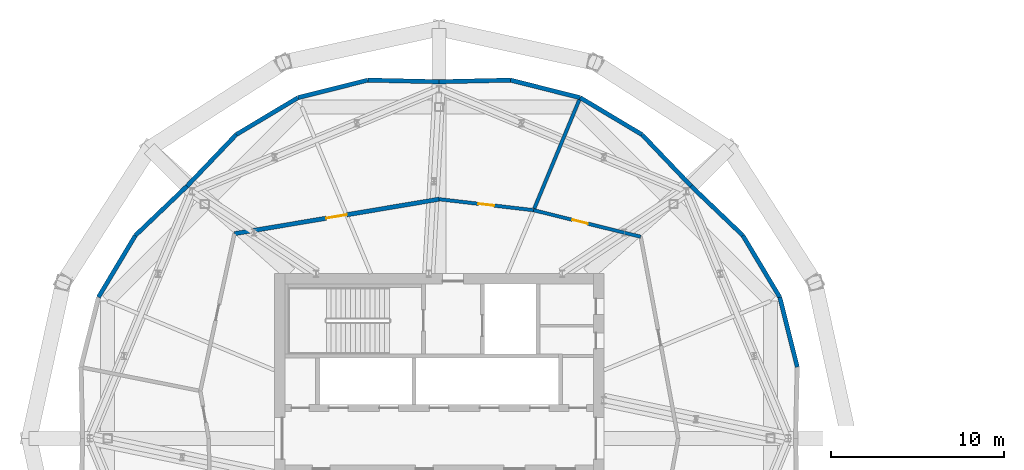
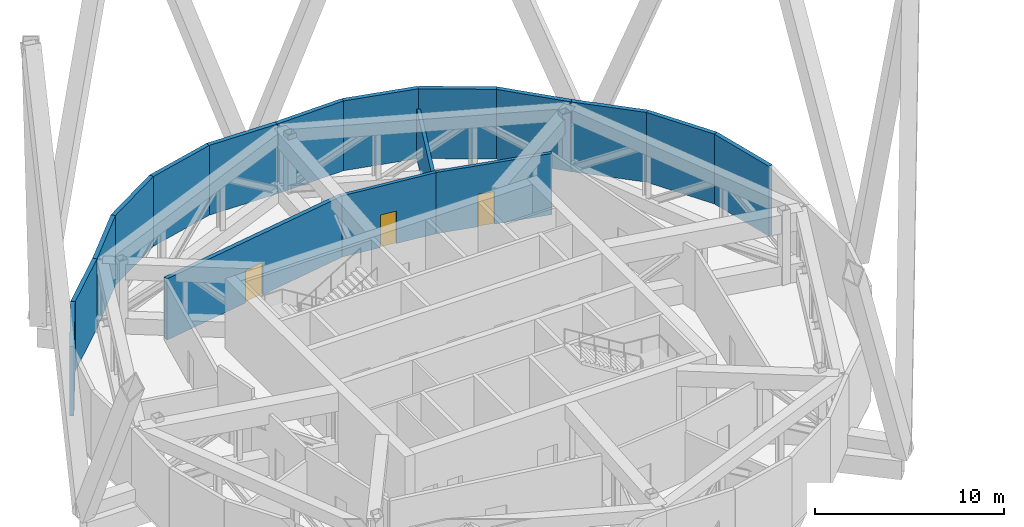
# One storey, part 14 of 19: 17 walls, 3 doors, 3 openings.
"""IFC4 building model written with IfcOpenShell, lengths in metres."""

from ifc_helpers import new_model, si_unit, direction, frame, frame_2d, origin, place, context, subcontext, project, spatial, rectangle, extrude, material, layer, layer_set, type_object, element, fill, save


model = new_model("IFC4")

# Units and contexts
model_context = context("Model", 3, precision=1e-05, world=origin(), true_north=direction((0.0, 1.0)))
body_context = subcontext(model_context, "Body", "Model", "MODEL_VIEW")
ifc_project = project(units=[si_unit("LENGTHUNIT", "METRE"), si_unit("AREAUNIT", "SQUARE_METRE"), si_unit("VOLUMEUNIT", "CUBIC_METRE"), si_unit("PLANEANGLEUNIT", "RADIAN"), si_unit("MASSUNIT", "GRAM", prefix="KILO")], contexts=[model_context])

# Site, building, storey
site_placement = place(None, origin())
site = spatial("IfcSite", under=ifc_project, at=site_placement, CompositionType="ELEMENT")
building_placement = place(site_placement, origin())
building = spatial("IfcBuilding", under=site, at=building_placement, Name="Ogive Gate Towers", CompositionType="ELEMENT")
storey_placement = place(building_placement, frame((0.0, 0.0, 216.300048828125)))
storey = spatial("IfcBuildingStorey", under=building, at=storey_placement, Name="L52", CompositionType="ELEMENT", Elevation=216.300048828125)

# Wall
ifc_material_1 = material(Name="Fire-rated block compartment wall")
ifc_layer_1 = layer(ifc_material_1, 0.199951171875)
ifc_layer_set_1 = layer_set([ifc_layer_1], Name="Compartment wall 200")
wall_type_1 = type_object("IfcWallType", Name="Compartment wall 200", PredefinedType="PARTITIONING", material=ifc_layer_set_1)
wall_1_placement = place(storey_placement, frame((-27.852783203125, 19.66943359375, 0.0), z_axis=(0.0, 0.0, 1.0), x_axis=(-0.382678639085, -0.923881517938, 0.0)))
element("IfcWall", 1, at=wall_1_placement, inside=storey, type_object=wall_type_1, Name="Partition T1-L52-001", PredefinedType="PARTITIONING", context=body_context, shape_type="SweptSolid", body=[
    extrude(rectangle(XDim=6.948974609375, YDim=0.199951171875, at=frame_2d((3.474609375, 0.0))), origin(), (0.0, 0.0, 1.0), 3.199951171875),
])

# Wall, opening, door
wall_2_placement = place(storey_placement, frame((-24.375, 11.625, 0.0), z_axis=(0.0, 0.0, 1.0), x_axis=(-0.970578810026, 0.240783665411, 0.0)))
wall_2 = element("IfcWall", 2, at=wall_2_placement, inside=storey, type_object=wall_type_1, Name="Partition T1-L52-006", PredefinedType="PARTITIONING", context=body_context, shape_type="SweptSolid", body=[
    extrude(rectangle(XDim=6.362548828125, YDim=0.199951171875, at=frame_2d((3.18115234375, 0.0))), origin(), (0.0, 0.0, 1.0), 3.949951171875),
])
opening_1_placement = place(wall_2_placement, frame((3.14990234375, 0.0, 0.0)))
opening_1 = element("IfcOpeningElement", 3, at=opening_1_placement, cuts=wall_2, Name="Opening T1-L52-D02", PredefinedType="OPENING", context=body_context, shape_type="SweptSolid", body=[
    extrude(rectangle(XDim=0.89990234375, YDim=2.10009765625, at=frame_2d((0.449951171875, 1.050048828125))), frame((0.0, 0.10986328125, 0.0), z_axis=(0.0, -1.0, 0.0), x_axis=(1.0, 0.0, 0.0)), (0.0, 0.0, 1.0), 0.219970703125),
])
ifc_material_2 = material(Name="Steel fire door", Category="steel")
door_type_1 = type_object("IfcDoorType", Name="Fire door 900 FD30S", OperationType="NOTDEFINED", PredefinedType="DOOR", material=ifc_material_2)
door_1_placement = place(opening_1_placement, origin())
door_1 = element("IfcDoor", 4, at=door_1_placement, inside=storey, type_object=door_type_1, Name="Door T1-L52-D02", OperationType="SINGLE_SWING_RIGHT", OverallHeight=2.10009765625, OverallWidth=0.89990234375, PredefinedType="DOOR", context=body_context, shape_type="SweptSolid", body=[
    extrude(rectangle(XDim=0.89990234375, YDim=2.10009765625, at=frame_2d((0.449951171875, 1.050048828125))), frame((0.0, 0.02490234375, 0.0), z_axis=(0.0, -1.0, 0.0), x_axis=(1.0, 0.0, 0.0)), (0.0, 0.0, 1.0), 0.050048828125),
])
fill(opening_1, door_1)

wall_3_placement = place(storey_placement, frame((-30.55029296875, 13.156982421875, 0.0), z_axis=(0.0, 0.0, 1.0), x_axis=(-0.993320552752, 0.115387518739, 0.0)))
wall_3 = element("IfcWall", 5, at=wall_3_placement, inside=storey, type_object=wall_type_1, Name="Partition T1-L52-007", PredefinedType="PARTITIONING", context=body_context, shape_type="SweptSolid", body=[
    extrude(rectangle(XDim=5.486328125, YDim=0.199951171875, at=frame_2d((2.7431640625, 0.0))), origin(), (0.0, 0.0, 1.0), 3.949951171875),
])
opening_2_placement = place(wall_3_placement, frame((2.300048828125, 0.0, 0.0)))
opening_2 = element("IfcOpeningElement", 6, at=opening_2_placement, cuts=wall_3, Name="Opening T1-L52-D03", PredefinedType="OPENING", context=body_context, shape_type="SweptSolid", body=[
    extrude(rectangle(XDim=0.89990234375, YDim=2.10009765625, at=frame_2d((0.449951171875, 1.050048828125))), frame((0.0, 0.10986328125, 0.0), z_axis=(0.0, -1.0, 0.0), x_axis=(1.0, 0.0, 0.0)), (0.0, 0.0, 1.0), 0.219970703125),
])
door_2_placement = place(opening_2_placement, origin())
door_2 = element("IfcDoor", 7, at=door_2_placement, inside=storey, type_object=door_type_1, Name="Door T1-L52-D03", OperationType="SINGLE_SWING_RIGHT", OverallHeight=2.10009765625, OverallWidth=0.89990234375, PredefinedType="DOOR", context=body_context, shape_type="SweptSolid", body=[
    extrude(rectangle(XDim=0.89990234375, YDim=2.10009765625, at=frame_2d((0.449951171875, 1.050048828125))), frame((0.0, 0.02490234375, 0.0), z_axis=(0.0, -1.0, 0.0), x_axis=(1.0, 0.0, 0.0)), (0.0, 0.0, 1.0), 0.050048828125),
])
fill(opening_2, door_2)

# Walls
ifc_material_3 = material(Name="Pale metal aluminium louvre", Category="aluminium")
ifc_layer_2 = layer(ifc_material_3, 0.25)
ifc_layer_set_2 = layer_set([ifc_layer_2], Name="Plant louvre wall")
wall_type_2 = type_object("IfcWallType", Name="Plant louvre wall", PredefinedType="SOLIDWALL", material=ifc_layer_set_2)
wall_4_placement = place(storey_placement, frame((-15.34033203125, 4.111572265625, 0.0), z_axis=(0.0, 0.0, 1.0), x_axis=(-0.244154126363, 0.969736439751, 0.0)))
element("IfcWall", 8, at=wall_4_placement, inside=storey, type_object=wall_type_2, Name="Plant louvre wall", PredefinedType="SOLIDWALL", context=body_context, shape_type="SweptSolid", body=[
    extrude(rectangle(XDim=4.15185546875, YDim=0.25, at=frame_2d((2.075927734375, 0.0))), origin(), (0.0, 0.0, 1.0), 4.5),
])
wall_5_placement = place(storey_placement, frame((-16.35400390625, 8.1376953125, 0.0), z_axis=(0.0, 0.0, 1.0), x_axis=(-0.513042110204, 0.858363438852, 0.0)))
element("IfcWall", 9, at=wall_5_placement, inside=storey, type_object=wall_type_2, Name="Plant louvre wall", PredefinedType="SOLIDWALL", context=body_context, shape_type="SweptSolid", body=[
    extrude(rectangle(XDim=4.1513671875, YDim=0.25, at=frame_2d((2.07568359375, 0.0))), origin(), (0.0, 0.0, 1.0), 4.5),
])
for number, where, z_axis, x_axis, name in (
    (10, (-18.48388671875, 11.701171875, 0.0), (0.0, 0.0, 1.0), (-0.723242333283, 0.690594329072, 0.0), "Plant louvre wall"),
    (11, (-21.45849609375, 14.54150390625, 0.0), (0.0, 0.0, 1.0), (-0.690594329072, 0.723242333283, 0.0), "Plant louvre wall"),
):
    element("IfcWall", number, at=place(storey_placement, frame(where, z_axis=z_axis, x_axis=x_axis)), inside=storey, type_object=wall_type_2, Name=name, PredefinedType="SOLIDWALL", context=body_context, shape_type="SweptSolid", body=[
        extrude(rectangle(XDim=4.11279296875, YDim=0.25, at=frame_2d((2.056396484375, 0.0))), origin(), (0.0, 0.0, 1.0), 4.5),
    ])
wall_6_placement = place(storey_placement, frame((-24.298828125, 17.51611328125, 0.0), z_axis=(0.0, 0.0, 1.0), x_axis=(-0.858363438852, 0.513042110204, 0.0)))
element("IfcWall", 12, at=wall_6_placement, inside=storey, type_object=wall_type_2, Name="Plant louvre wall", PredefinedType="SOLIDWALL", context=body_context, shape_type="SweptSolid", body=[
    extrude(rectangle(XDim=4.1513671875, YDim=0.25, at=frame_2d((2.07568359375, 0.0))), origin(), (0.0, 0.0, 1.0), 4.5),
])
wall_7_placement = place(storey_placement, frame((-27.8623046875, 19.64599609375, 0.0), z_axis=(0.0, 0.0, 1.0), x_axis=(-0.969736439751, 0.244154126363, 0.0)))
element("IfcWall", 13, at=wall_7_placement, inside=storey, type_object=wall_type_2, Name="Plant louvre wall", PredefinedType="SOLIDWALL", context=body_context, shape_type="SweptSolid", body=[
    extrude(rectangle(XDim=4.15185546875, YDim=0.25, at=frame_2d((2.075927734375, 0.0))), origin(), (0.0, 0.0, 1.0), 4.5),
])
for number, where, z_axis, x_axis, name in (
    (14, (-31.888427734375, 20.65966796875, 0.0), (0.0, 0.0, 1.0), (-0.999734707572, -0.02303289986, 0.0), "Plant louvre wall"),
    (15, (-36.0, 20.56494140625, 0.0), (0.0, 0.0, 1.0), (-0.999734707572, 0.02303289986, 0.0), "Plant louvre wall"),
):
    element("IfcWall", number, at=place(storey_placement, frame(where, z_axis=z_axis, x_axis=x_axis)), inside=storey, type_object=wall_type_2, Name=name, PredefinedType="SOLIDWALL", context=body_context, shape_type="SweptSolid", body=[
        extrude(rectangle(XDim=4.112548828125, YDim=0.25, at=frame_2d((2.05615234375, 0.0))), origin(), (0.0, 0.0, 1.0), 4.5),
    ])
wall_8_placement = place(storey_placement, frame((-40.111572265625, 20.65966796875, 0.0), z_axis=(0.0, 0.0, 1.0), x_axis=(-0.969736439751, -0.244154126363, 0.0)))
element("IfcWall", 16, at=wall_8_placement, inside=storey, type_object=wall_type_2, Name="Plant louvre wall", PredefinedType="SOLIDWALL", context=body_context, shape_type="SweptSolid", body=[
    extrude(rectangle(XDim=4.15185546875, YDim=0.25, at=frame_2d((2.075927734375, 0.0))), origin(), (0.0, 0.0, 1.0), 4.5),
])
wall_9_placement = place(storey_placement, frame((-44.1376953125, 19.64599609375, 0.0), z_axis=(0.0, 0.0, 1.0), x_axis=(-0.858363438852, -0.513042110204, 0.0)))
element("IfcWall", 17, at=wall_9_placement, inside=storey, type_object=wall_type_2, Name="Plant louvre wall", PredefinedType="SOLIDWALL", context=body_context, shape_type="SweptSolid", body=[
    extrude(rectangle(XDim=4.1513671875, YDim=0.25, at=frame_2d((2.07568359375, 0.0))), origin(), (0.0, 0.0, 1.0), 4.5),
])
for number, where, z_axis, x_axis, name in (
    (18, (-47.701171875, 17.51611328125, 0.0), (0.0, 0.0, 1.0), (-0.690594329072, -0.723242333283, 0.0), "Plant louvre wall"),
    (19, (-50.54150390625, 14.54150390625, 0.0), (0.0, 0.0, 1.0), (-0.723242333283, -0.690594329072, 0.0), "Plant louvre wall"),
):
    element("IfcWall", number, at=place(storey_placement, frame(where, z_axis=z_axis, x_axis=x_axis)), inside=storey, type_object=wall_type_2, Name=name, PredefinedType="SOLIDWALL", context=body_context, shape_type="SweptSolid", body=[
        extrude(rectangle(XDim=4.11279296875, YDim=0.25, at=frame_2d((2.056396484375, 0.0))), origin(), (0.0, 0.0, 1.0), 4.5),
    ])
wall_10_placement = place(storey_placement, frame((-53.51611328125, 11.701171875, 0.0), z_axis=(0.0, 0.0, 1.0), x_axis=(-0.513042110204, -0.858363438852, 0.0)))
element("IfcWall", 20, at=wall_10_placement, inside=storey, type_object=wall_type_2, Name="Plant louvre wall", PredefinedType="SOLIDWALL", context=body_context, shape_type="SweptSolid", body=[
    extrude(rectangle(XDim=4.1513671875, YDim=0.25, at=frame_2d((2.07568359375, 0.0))), origin(), (0.0, 0.0, 1.0), 4.5),
])

# Wall, opening, door
ifc_material_4 = material(Name="Fire-rated concrete block wall", Category="concrete")
ifc_layer_3 = layer(ifc_material_4, 0.25)
ifc_layer_set_3 = layer_set([ifc_layer_3], Name="Refuge compartment wall 250")
wall_type_3 = type_object("IfcWallType", Name="Refuge compartment wall 250", PredefinedType="PARTITIONING", material=ifc_layer_set_3)
wall_11_placement = place(storey_placement, frame((-36.0, 13.7900390625, 0.0), z_axis=(0.0, 0.0, 1.0), x_axis=(-0.986103502198, -0.166132124988, 0.0)))
wall_11 = element("IfcWall", 21, at=wall_11_placement, inside=storey, type_object=wall_type_3, Name="Partition T1-L52-008", PredefinedType="PARTITIONING", context=body_context, shape_type="SweptSolid", body=[
    extrude(rectangle(XDim=11.968017578125, YDim=0.25, at=frame_2d((5.98388671875, 0.0))), origin(), (0.0, 0.0, 1.0), 3.949951171875),
])
opening_3_placement = place(wall_11_placement, frame((5.39990234375, 0.0, 0.0)))
opening_3 = element("IfcOpeningElement", 22, at=opening_3_placement, cuts=wall_11, Name="Opening T1-L52-D04", PredefinedType="OPENING", context=body_context, shape_type="SweptSolid", body=[
    extrude(rectangle(XDim=1.199951171875, YDim=2.10009765625, at=frame_2d((0.60009765625, 1.050048828125))), frame((0.0, 0.135009765625, 0.0), z_axis=(0.0, -1.0, 0.0), x_axis=(1.0, 0.0, 0.0)), (0.0, 0.0, 1.0), 0.27001953125),
])
door_type_2 = type_object("IfcDoorType", Name="Fire door 1200 FD60S", OperationType="NOTDEFINED", PredefinedType="DOOR", material=ifc_material_2)
door_3_placement = place(opening_3_placement, origin())
door_3 = element("IfcDoor", 23, at=door_3_placement, inside=storey, type_object=door_type_2, Name="Door T1-L52-D04", OperationType="SINGLE_SWING_LEFT", OverallHeight=2.10009765625, OverallWidth=1.199951171875, PredefinedType="DOOR", context=body_context, shape_type="SweptSolid", body=[
    extrude(rectangle(XDim=1.199951171875, YDim=2.10009765625, at=frame_2d((0.60009765625, 1.050048828125))), frame((0.0, 0.02490234375, 0.0), z_axis=(0.0, -1.0, 0.0), x_axis=(1.0, 0.0, 0.0)), (0.0, 0.0, 1.0), 0.050048828125),
])
fill(opening_3, door_3)

save(model, "model.ifc")
